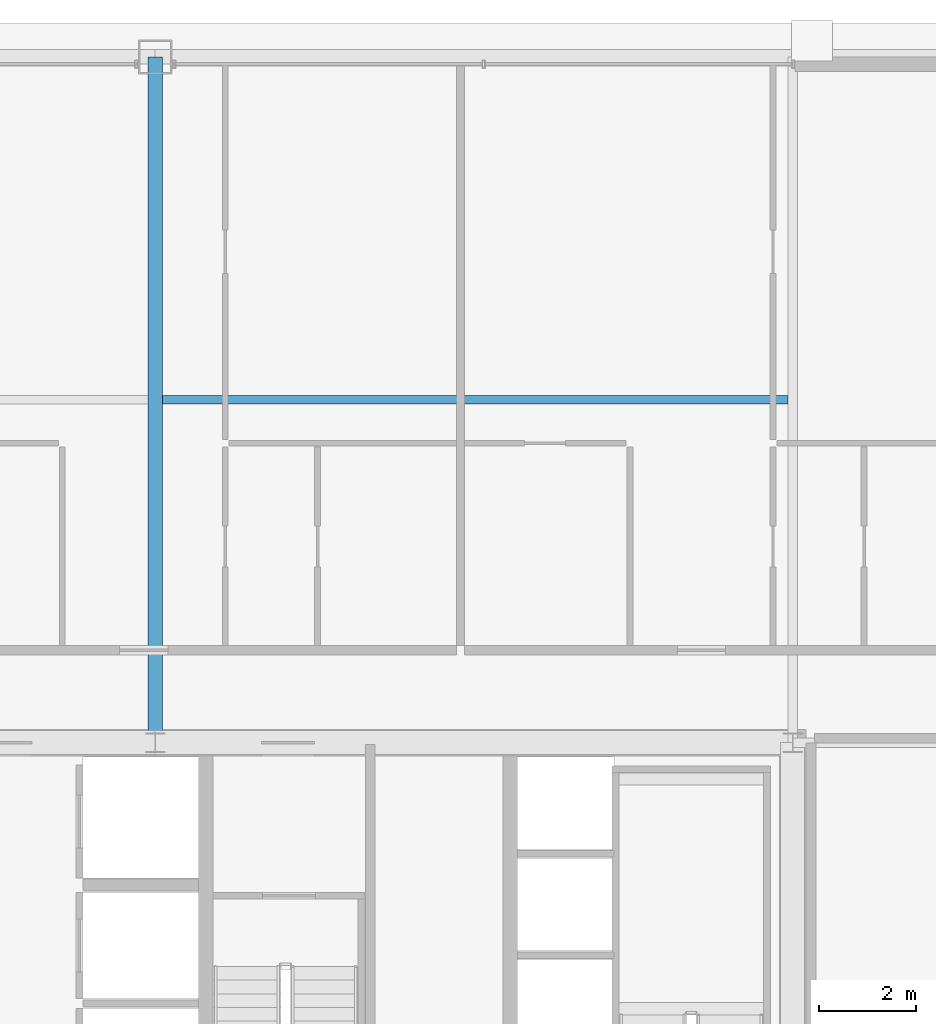
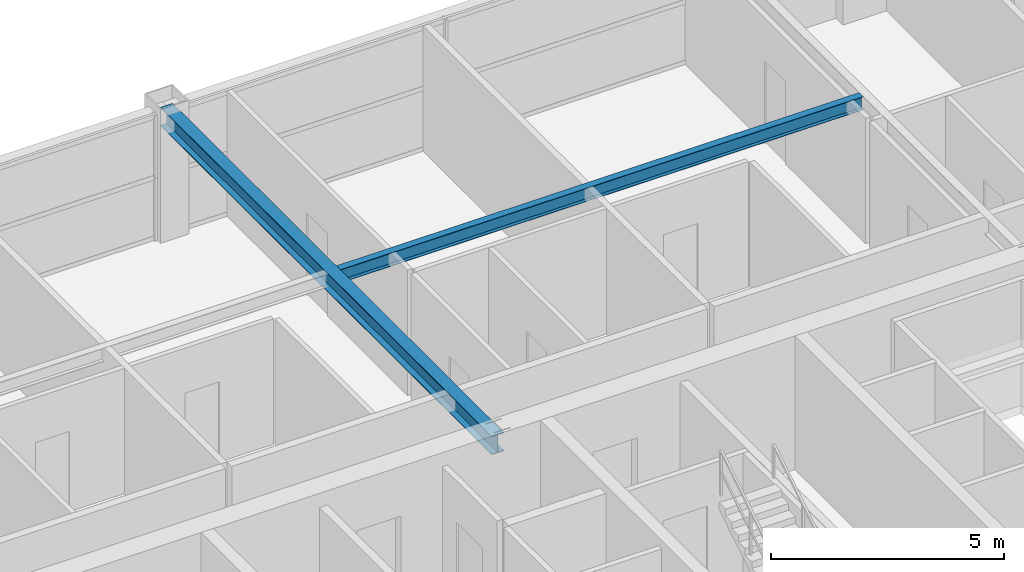
# One storey, part 27 of 37: 2 beams.
"""IFC4 building model written with IfcOpenShell, lengths in metres."""

from ifc_helpers import new_model, si_unit, direction, frame, origin, origin_2d, place, context, subcontext, project, spatial, i_section, extrude, source, transform, mapped, material, material_profile, profile_set, type_object, element, save


model = new_model("IFC4")

# Units and contexts
model_context = context("Model", 3, precision=1e-05, world=origin(), true_north=direction((0.0, 1.0)))
body_context = subcontext(model_context, "Body", "Model", "MODEL_VIEW")
ifc_project = project(units=[si_unit("LENGTHUNIT", "METRE"), si_unit("AREAUNIT", "SQUARE_METRE"), si_unit("VOLUMEUNIT", "CUBIC_METRE"), si_unit("PLANEANGLEUNIT", "RADIAN"), si_unit("MASSUNIT", "GRAM", prefix="KILO"), si_unit("THERMODYNAMICTEMPERATUREUNIT", "KELVIN"), si_unit("POWERUNIT", "WATT")], contexts=[model_context])

# Site, building, storey
site_placement = place(None, origin())
site = spatial("IfcSite", under=ifc_project, at=site_placement, CompositionType="ELEMENT")
building_placement = place(site_placement, origin())
building = spatial("IfcBuilding", under=site, at=building_placement, Name="Yuzanri Waterfront Tower", CompositionType="ELEMENT")
storey_placement = place(building_placement, frame((0.0, 0.0, 245.10009765625)))
storey = spatial("IfcBuildingStorey", under=building, at=storey_placement, Name="L65", CompositionType="ELEMENT", Elevation=245.10009765625)

# Beams
ifc_material_1 = material(Name="Steel Q355B", Category="steel")
ifc_material_profile_1 = material_profile(ifc_material_1, i_section(OverallWidth=0.300048828125, OverallDepth=0.488037109375, WebThickness=0.010986328125, FlangeThickness=0.01806640625, at=origin_2d()), Name="HM 488x300x11x18")
ifc_profile_set_1 = profile_set([ifc_material_profile_1], Name="Steel Q355B")
beam_type_1 = type_object("IfcBeamType", Name="Primary Floor Girder Q355B HM 488x300", PredefinedType="BEAM", material=ifc_profile_set_1)
shared_shape_1 = source(origin(), body_context, "Body", "SweptSolid", [
    extrude(i_section(OverallWidth=0.300048828125, OverallDepth=0.488037109375, WebThickness=0.010986328125, FlangeThickness=0.01806640625, at=origin_2d()), origin(), (0.0, 0.0, 1.0), 14.199951171875),
])
beam_1_placement = place(storey_placement, frame((37.0, 32.199951171875, 3.035888671875), z_axis=(0.0, 1.0, 0.0), x_axis=(-1.0, 0.0, 0.0)))
element("IfcBeam", 1, at=beam_1_placement, inside=storey, type_object=beam_type_1, Name="L65 North Grid Girder", PredefinedType="BEAM", context=body_context, shape_type="MappedRepresentation", body=[
    mapped(shared_shape_1, transform((0.0, 0.0, 0.0), scale=1.0)),
])
ifc_material_2 = material(Name="Steel Q355B", Category="steel")
ifc_material_profile_2 = material_profile(ifc_material_2, i_section(OverallWidth=0.175048828125, OverallDepth=0.35009765625, WebThickness=0.007080078125, FlangeThickness=0.010986328125, at=origin_2d()), Name="HN 350x175x7x11")
ifc_profile_set_2 = profile_set([ifc_material_profile_2], Name="Steel Q355B")
beam_type_2 = type_object("IfcBeamType", Name="Floor Joist Q355B HN 350x175", PredefinedType="JOIST", material=ifc_profile_set_2)
shared_shape_2 = source(origin(), body_context, "Body", "SweptSolid", [
    extrude(i_section(OverallWidth=0.175048828125, OverallDepth=0.35009765625, WebThickness=0.007080078125, FlangeThickness=0.010986328125, at=origin_2d()), origin(), (0.0, 0.0, 1.0), 12.9501953125),
])
beam_2_placement = place(storey_placement, frame((37.14990234375, 39.300048828125, 3.10498046875), z_axis=(1.0, 0.0, 0.0), x_axis=(0.0, 1.0, 0.0)))
element("IfcBeam", 2, at=beam_2_placement, inside=storey, type_object=beam_type_2, Name="L65 North Bay Joist E", PredefinedType="JOIST", context=body_context, shape_type="MappedRepresentation", body=[
    mapped(shared_shape_2, transform((0.0, 0.0, 0.0), scale=1.0)),
])

save(model, "model.ifc")
